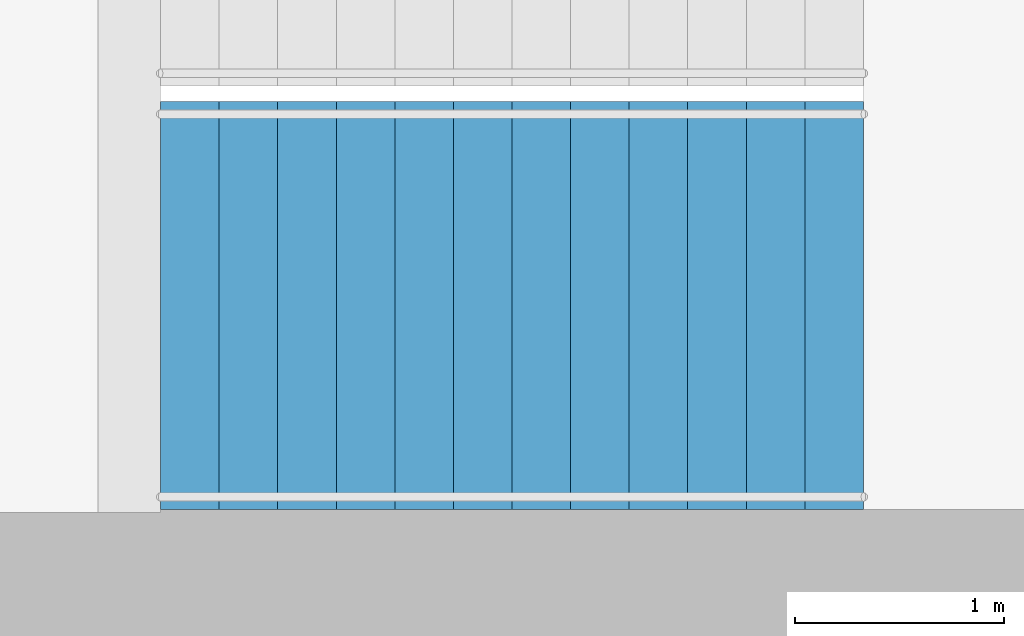
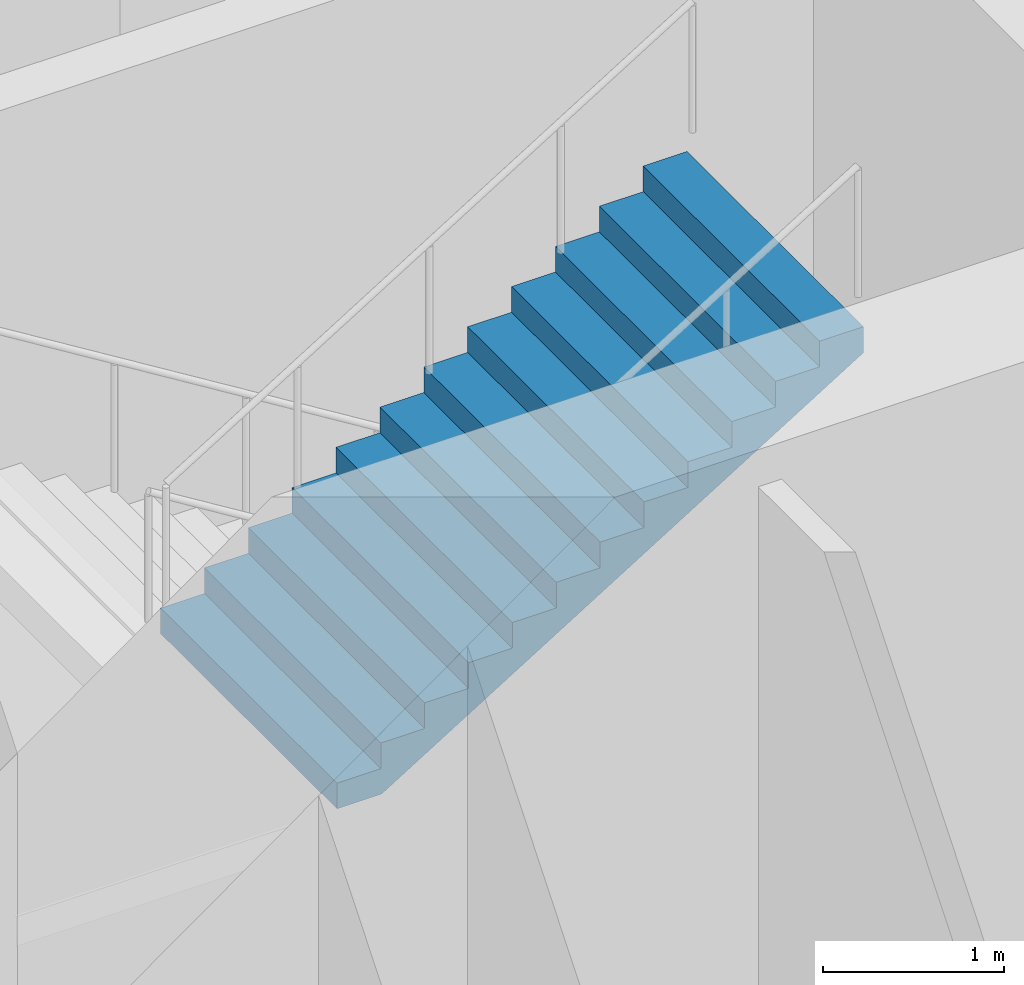
# One storey, part 20 of 31: 1 stair flight, 1 element without a shape of its own.
"""IFC4 building model written with IfcOpenShell, lengths in metres."""

from ifc_helpers import new_model, si_unit, direction, frame, origin, place, context, subcontext, project, spatial, triangles, material, type_object, element, aggregate, save


model = new_model("IFC4")

# Units and contexts
model_context = context("Model", 3, precision=1e-05, world=origin(), true_north=direction((0.0, 1.0)))
body_context = subcontext(model_context, "Body", "Model", "MODEL_VIEW")
ifc_project = project(units=[si_unit("LENGTHUNIT", "METRE"), si_unit("AREAUNIT", "SQUARE_METRE"), si_unit("VOLUMEUNIT", "CUBIC_METRE"), si_unit("PLANEANGLEUNIT", "RADIAN"), si_unit("MASSUNIT", "GRAM", prefix="KILO")], contexts=[model_context])

# Site, building, storey
site_placement = place(None, origin())
site = spatial("IfcSite", under=ifc_project, at=site_placement, CompositionType="ELEMENT")
building_placement = place(site_placement, origin())
building = spatial("IfcBuilding", under=site, at=building_placement, Name="Orbita Commons", CompositionType="ELEMENT")
storey_placement = place(building_placement, frame((0.0, 0.0, 76.14990234375)))
storey = spatial("IfcBuildingStorey", under=building, at=storey_placement, Name="L18", CompositionType="ELEMENT", Elevation=76.14990234375)

# Stair, stair flight
ifc_material_1 = material(Name="Precast concrete C40/50", Category="concrete")
stair_type = type_object("IfcStairType", Name="Exit stair S2 2 flights 13 risers 173", PredefinedType="HALF_TURN_STAIR", material=ifc_material_1)
stair_placement = place(storey_placement, origin())
stair = element("IfcStair", 1, at=stair_placement, inside=storey, type_object=stair_type, Name="Exit stair S2 L18", PredefinedType="HALF_TURN_STAIR")
ifc_material_2 = material(Name="Precast concrete C40/50", Category="concrete")
stair_flight_type = type_object("IfcStairFlightType", Name="Stair flight 13 risers 173 x 280", PredefinedType="STRAIGHT", material=ifc_material_2)
stair_flight_placement = place(storey_placement, frame((60.18994140625, 27.25, 2.25), z_axis=(0.0, 0.0, 1.0), x_axis=(1.0, 0.0, 0.0)))
stair_flight = element("IfcStairFlight", 2, at=stair_flight_placement, type_object=stair_flight_type, Name="S2 flight 2", NumberOfRisers=13, NumberOfTreads=12, PredefinedType="STRAIGHT", RiserHeight=0.173076923, TreadLength=0.28, context=body_context, shape_type="Tessellation", body=[
    triangles([(0.0, 0.974976, 0.0), (0.0, 0.974976, 0.021635), (0.0, 0.81248, 0.021635), (0.0, 0.81248, 0.0), (0.0, 0.649984, 0.021635), (0.0, 0.649984, 0.0), (0.0, 0.487488, 0.021635), (0.0, 0.487488, 0.0), (0.0, 0.324992, 0.021635), (0.0, 0.324992, 0.0), (0.0, 0.162496, 0.021635), (0.0, 0.162496, 0.0), (0.0, 0.0, 0.021635), (0.0, 0.0, 0.0), (0.0, -0.162496, 0.021635), (0.0, -0.162496, 0.0), (0.0, -0.324992, 0.021635), (0.0, -0.324992, 0.0), (0.0, -0.487488, 0.021635), (0.0, -0.487488, 0.0), (0.0, -0.649984, 0.021635), (0.0, -0.649984, 0.0), (0.0, -0.81248, 0.021635), (0.0, -0.81248, 0.0), (0.0, -0.974976, 0.021635), (0.0, -0.974976, 0.0), (0.0, 0.974976, 0.043269), (0.0, 0.81248, 0.043269), (0.0, 0.649984, 0.043269), (0.0, 0.487488, 0.043269), (0.0, 0.324992, 0.043269), (0.0, 0.162496, 0.043269), (0.0, 0.0, 0.043269), (0.0, -0.162496, 0.043269), (0.0, -0.324992, 0.043269), (0.0, -0.487488, 0.043269), (0.0, -0.649984, 0.043269), (0.0, -0.81248, 0.043269), (0.0, -0.974976, 0.043269), (0.0, 0.974976, 0.064904), (0.0, 0.81248, 0.064904), (0.0, 0.649984, 0.064904), (0.0, 0.487488, 0.064904), (0.0, 0.324992, 0.064904), (0.0, 0.162496, 0.064904), (0.0, 0.0, 0.064904), (0.0, -0.162496, 0.064904), (0.0, -0.324992, 0.064904), (0.0, -0.487488, 0.064904), (0.0, -0.649984, 0.064904), (0.0, -0.81248, 0.064904), (0.0, -0.974976, 0.064904), (0.0, 0.974976, 0.086538), (0.0, 0.81248, 0.086538), (0.0, 0.649984, 0.086538), (0.0, 0.487488, 0.086538), (0.0, 0.324992, 0.086538), (0.0, 0.162496, 0.086538), (0.0, 0.0, 0.086538), (0.0, -0.162496, 0.086538), (0.0, -0.324992, 0.086538), (0.0, -0.487488, 0.086538), (0.0, -0.649984, 0.086538), (0.0, -0.81248, 0.086538), (0.0, -0.974976, 0.086538), (0.0, 0.974976, 0.108173), (0.0, 0.81248, 0.108173), (0.0, 0.649984, 0.108173), (0.0, 0.487488, 0.108173), (0.0, 0.324992, 0.108173), (0.0, 0.162496, 0.108173), (0.0, 0.0, 0.108173), (0.0, -0.162496, 0.108173), (0.0, -0.324992, 0.108173), (0.0, -0.487488, 0.108173), (0.0, -0.649984, 0.108173), (0.0, -0.81248, 0.108173), (0.0, -0.974976, 0.108173), (0.0, 0.974976, 0.129808), (0.0, 0.81248, 0.129808), (0.0, 0.649984, 0.129808), (0.0, 0.487488, 0.129808), (0.0, 0.324992, 0.129808), (0.0, 0.162496, 0.129808), (0.0, 0.0, 0.129808), (0.0, -0.162496, 0.129808), (0.0, -0.324992, 0.129808), (0.0, -0.487488, 0.129808), (0.0, -0.649984, 0.129808), (0.0, -0.81248, 0.129808), (0.0, -0.974976, 0.129808), (0.0, 0.974976, 0.151442), (0.0, 0.81248, 0.151442), (0.0, 0.649984, 0.151442), (0.0, 0.487488, 0.151442), (0.0, 0.324992, 0.151442), (0.0, 0.162496, 0.151442), (0.0, 0.0, 0.151442), (0.0, -0.162496, 0.151442), (0.0, -0.324992, 0.151442), (0.0, -0.487488, 0.151442), (0.0, -0.649984, 0.151442), (0.0, -0.81248, 0.151442), (0.0, -0.974976, 0.151442), (0.0, 0.974976, 0.173077), (0.0, 0.81248, 0.173077), (0.0, 0.649984, 0.173077), (0.0, 0.487488, 0.173077), (0.0, 0.324992, 0.173077), (0.0, 0.162496, 0.173077), (0.0, 0.0, 0.173077), (0.0, -0.162496, 0.173077), (0.0, -0.324992, 0.173077), (0.0, -0.487488, 0.173077), (0.0, -0.649984, 0.173077), (0.0, -0.81248, 0.173077), (0.0, -0.974976, 0.173077), (0.28, 0.974976, 0.173077), (0.28, 0.81248, 0.173077), (0.28, 0.649984, 0.173077), (0.28, 0.487488, 0.173077), (0.28, 0.324992, 0.173077), (0.28, 0.162496, 0.173077), (0.28, 0.0, 0.173077), (0.28, -0.162496, 0.173077), (0.28, -0.324992, 0.173077), (0.28, -0.487488, 0.173077), (0.28, -0.649984, 0.173077), (0.28, -0.81248, 0.173077), (0.28, -0.974976, 0.173077), (0.28, 0.974976, 0.346154), (0.28, 0.81248, 0.346154), (0.28, 0.649984, 0.346154), (0.28, 0.487488, 0.346154), (0.28, 0.324992, 0.346154), (0.28, 0.162496, 0.346154), (0.28, 0.0, 0.346154), (0.28, -0.162496, 0.346154), (0.28, -0.324992, 0.346154), (0.28, -0.487488, 0.346154), (0.28, -0.649984, 0.346154), (0.28, -0.81248, 0.346154), (0.28, -0.974976, 0.346154), (0.56, 0.974976, 0.346154), (0.56, 0.81248, 0.346154), (0.56, 0.649984, 0.346154), (0.56, 0.487488, 0.346154), (0.56, 0.324992, 0.346154), (0.56, 0.162496, 0.346154), (0.56, 0.0, 0.346154), (0.56, -0.162496, 0.346154), (0.56, -0.324992, 0.346154), (0.56, -0.487488, 0.346154), (0.56, -0.649984, 0.346154), (0.56, -0.81248, 0.346154), (0.56, -0.974976, 0.346154), (0.56, 0.974976, 0.519231), (0.56, 0.81248, 0.519231), (0.56, 0.649984, 0.519231), (0.56, 0.487488, 0.519231), (0.56, 0.324992, 0.519231), (0.56, 0.162496, 0.519231), (0.56, 0.0, 0.519231), (0.56, -0.162496, 0.519231), (0.56, -0.324992, 0.519231), (0.56, -0.487488, 0.519231), (0.56, -0.649984, 0.519231), (0.56, -0.81248, 0.519231), (0.56, -0.974976, 0.519231), (0.84, 0.974976, 0.519231), (0.84, 0.81248, 0.519231), (0.84, 0.649984, 0.519231), (0.84, 0.487488, 0.519231), (0.84, 0.324992, 0.519231), (0.84, 0.162496, 0.519231), (0.84, 0.0, 0.519231), (0.84, -0.162496, 0.519231), (0.84, -0.324992, 0.519231), (0.84, -0.487488, 0.519231), (0.84, -0.649984, 0.519231), (0.84, -0.81248, 0.519231), (0.84, -0.974976, 0.519231), (0.84, 0.974976, 0.692308), (0.84, 0.81248, 0.692308), (0.84, 0.649984, 0.692308), (0.84, 0.487488, 0.692308), (0.84, 0.324992, 0.692308), (0.84, 0.162496, 0.692308), (0.84, 0.0, 0.692308), (0.84, -0.162496, 0.692308), (0.84, -0.324992, 0.692308), (0.84, -0.487488, 0.692308), (0.84, -0.649984, 0.692308), (0.84, -0.81248, 0.692308), (0.84, -0.974976, 0.692308), (1.12, 0.974976, 0.692308), (1.12, 0.81248, 0.692308), (1.12, 0.649984, 0.692308), (1.12, 0.487488, 0.692308), (1.12, 0.324992, 0.692308), (1.12, 0.162496, 0.692308), (1.12, 0.0, 0.692308), (1.12, -0.162496, 0.692308), (1.12, -0.324992, 0.692308), (1.12, -0.487488, 0.692308), (1.12, -0.649984, 0.692308), (1.12, -0.81248, 0.692308), (1.12, -0.974976, 0.692308), (1.12, 0.974976, 0.865385), (1.12, 0.81248, 0.865385), (1.12, 0.649984, 0.865385), (1.12, 0.487488, 0.865385), (1.12, 0.324992, 0.865385), (1.12, 0.162496, 0.865385), (1.12, 0.0, 0.865385), (1.12, -0.162496, 0.865385), (1.12, -0.324992, 0.865385), (1.12, -0.487488, 0.865385), (1.12, -0.649984, 0.865385), (1.12, -0.81248, 0.865385), (1.12, -0.974976, 0.865385), (1.4, 0.974976, 0.865385), (1.4, 0.81248, 0.865385), (1.4, 0.649984, 0.865385), (1.4, 0.487488, 0.865385), (1.4, 0.324992, 0.865385), (1.4, 0.162496, 0.865385), (1.4, 0.0, 0.865385), (1.4, -0.162496, 0.865385), (1.4, -0.324992, 0.865385), (1.4, -0.487488, 0.865385), (1.4, -0.649984, 0.865385), (1.4, -0.81248, 0.865385), (1.4, -0.974976, 0.865385), (1.4, 0.974976, 1.038462), (1.4, 0.81248, 1.038462), (1.4, 0.649984, 1.038462), (1.4, 0.487488, 1.038462), (1.4, 0.324992, 1.038462), (1.4, 0.162496, 1.038462), (1.4, 0.0, 1.038462), (1.4, -0.162496, 1.038462), (1.4, -0.324992, 1.038462), (1.4, -0.487488, 1.038462), (1.4, -0.649984, 1.038462), (1.4, -0.81248, 1.038462), (1.4, -0.974976, 1.038462), (1.68, 0.974976, 1.038462), (1.68, 0.81248, 1.038462), (1.68, 0.649984, 1.038462), (1.68, 0.487488, 1.038462), (1.68, 0.324992, 1.038462), (1.68, 0.162496, 1.038462), (1.68, 0.0, 1.038462), (1.68, -0.162496, 1.038462), (1.68, -0.324992, 1.038462), (1.68, -0.487488, 1.038462), (1.68, -0.649984, 1.038462), (1.68, -0.81248, 1.038462), (1.68, -0.974976, 1.038462), (1.68, 0.974976, 1.211538), (1.68, 0.81248, 1.211538), (1.68, 0.649984, 1.211538), (1.68, 0.487488, 1.211538), (1.68, 0.324992, 1.211538), (1.68, 0.162496, 1.211538), (1.68, 0.0, 1.211538), (1.68, -0.162496, 1.211538), (1.68, -0.324992, 1.211538), (1.68, -0.487488, 1.211538), (1.68, -0.649984, 1.211538), (1.68, -0.81248, 1.211538), (1.68, -0.974976, 1.211538), (1.96, 0.974976, 1.211538), (1.96, 0.81248, 1.211538), (1.96, 0.649984, 1.211538), (1.96, 0.487488, 1.211538), (1.96, 0.324992, 1.211538), (1.96, 0.162496, 1.211538), (1.96, 0.0, 1.211538), (1.96, -0.162496, 1.211538), (1.96, -0.324992, 1.211538), (1.96, -0.487488, 1.211538), (1.96, -0.649984, 1.211538), (1.96, -0.81248, 1.211538), (1.96, -0.974976, 1.211538), (1.96, 0.974976, 1.384615), (1.96, 0.81248, 1.384615), (1.96, 0.649984, 1.384615), (1.96, 0.487488, 1.384615), (1.96, 0.324992, 1.384615), (1.96, 0.162496, 1.384615), (1.96, 0.0, 1.384615), (1.96, -0.162496, 1.384615), (1.96, -0.324992, 1.384615), (1.96, -0.487488, 1.384615), (1.96, -0.649984, 1.384615), (1.96, -0.81248, 1.384615), (1.96, -0.974976, 1.384615), (2.24, 0.974976, 1.384615), (2.24, 0.81248, 1.384615), (2.24, 0.649984, 1.384615), (2.24, 0.487488, 1.384615), (2.24, 0.324992, 1.384615), (2.24, 0.162496, 1.384615), (2.24, 0.0, 1.384615), (2.24, -0.162496, 1.384615), (2.24, -0.324992, 1.384615), (2.24, -0.487488, 1.384615), (2.24, -0.649984, 1.384615), (2.24, -0.81248, 1.384615), (2.24, -0.974976, 1.384615), (2.24, 0.974976, 1.557692), (2.24, 0.81248, 1.557692), (2.24, 0.649984, 1.557692), (2.24, 0.487488, 1.557692), (2.24, 0.324992, 1.557692), (2.24, 0.162496, 1.557692), (2.24, 0.0, 1.557692), (2.24, -0.162496, 1.557692), (2.24, -0.324992, 1.557692), (2.24, -0.487488, 1.557692), (2.24, -0.649984, 1.557692), (2.24, -0.81248, 1.557692), (2.24, -0.974976, 1.557692), (2.52, 0.974976, 1.557692), (2.52, 0.81248, 1.557692), (2.52, 0.649984, 1.557692), (2.52, 0.487488, 1.557692), (2.52, 0.324992, 1.557692), (2.52, 0.162496, 1.557692), (2.52, 0.0, 1.557692), (2.52, -0.162496, 1.557692), (2.52, -0.324992, 1.557692), (2.52, -0.487488, 1.557692), (2.52, -0.649984, 1.557692), (2.52, -0.81248, 1.557692), (2.52, -0.974976, 1.557692), (2.52, 0.974976, 1.730769), (2.52, 0.81248, 1.730769), (2.52, 0.649984, 1.730769), (2.52, 0.487488, 1.730769), (2.52, 0.324992, 1.730769), (2.52, 0.162496, 1.730769), (2.52, 0.0, 1.730769), (2.52, -0.162496, 1.730769), (2.52, -0.324992, 1.730769), (2.52, -0.487488, 1.730769), (2.52, -0.649984, 1.730769), (2.52, -0.81248, 1.730769), (2.52, -0.974976, 1.730769), (2.8, 0.974976, 1.730769), (2.8, 0.81248, 1.730769), (2.8, 0.649984, 1.730769), (2.8, 0.487488, 1.730769), (2.8, 0.324992, 1.730769), (2.8, 0.162496, 1.730769), (2.8, 0.0, 1.730769), (2.8, -0.162496, 1.730769), (2.8, -0.324992, 1.730769), (2.8, -0.487488, 1.730769), (2.8, -0.649984, 1.730769), (2.8, -0.81248, 1.730769), (2.8, -0.974976, 1.730769), (2.8, 0.974976, 1.903846), (2.8, 0.81248, 1.903846), (2.8, 0.649984, 1.903846), (2.8, 0.487488, 1.903846), (2.8, 0.324992, 1.903846), (2.8, 0.162496, 1.903846), (2.8, 0.0, 1.903846), (2.8, -0.162496, 1.903846), (2.8, -0.324992, 1.903846), (2.8, -0.487488, 1.903846), (2.8, -0.649984, 1.903846), (2.8, -0.81248, 1.903846), (2.8, -0.974976, 1.903846), (3.08, 0.974976, 1.903846), (3.08, 0.81248, 1.903846), (3.08, 0.649984, 1.903846), (3.08, 0.487488, 1.903846), (3.08, 0.324992, 1.903846), (3.08, 0.162496, 1.903846), (3.08, 0.0, 1.903846), (3.08, -0.162496, 1.903846), (3.08, -0.324992, 1.903846), (3.08, -0.487488, 1.903846), (3.08, -0.649984, 1.903846), (3.08, -0.81248, 1.903846), (3.08, -0.974976, 1.903846), (3.08, 0.974976, 2.076923), (3.08, 0.81248, 2.076923), (3.08, 0.649984, 2.076923), (3.08, 0.487488, 2.076923), (3.08, 0.324992, 2.076923), (3.08, 0.162496, 2.076923), (3.08, 0.0, 2.076923), (3.08, -0.162496, 2.076923), (3.08, -0.324992, 2.076923), (3.08, -0.487488, 2.076923), (3.08, -0.649984, 2.076923), (3.08, -0.81248, 2.076923), (3.08, -0.974976, 2.076923), (3.36, 0.974976, 2.076923), (3.36, 0.81248, 2.076923), (3.36, 0.649984, 2.076923), (3.36, 0.487488, 2.076923), (3.36, 0.324992, 2.076923), (3.36, 0.162496, 2.076923), (3.36, 0.0, 2.076923), (3.36, -0.162496, 2.076923), (3.36, -0.324992, 2.076923), (3.36, -0.487488, 2.076923), (3.36, -0.649984, 2.076923), (3.36, -0.81248, 2.076923), (3.36, -0.974976, 2.076923), (3.36, 0.974976, 2.054895), (3.36, 0.81248, 2.054895), (3.36, 0.649984, 2.054895), (3.36, 0.487488, 2.054895), (3.36, 0.324992, 2.054895), (3.36, 0.162496, 2.054895), (3.36, 0.0, 2.054895), (3.36, -0.162496, 2.054895), (3.36, -0.324992, 2.054895), (3.36, -0.487488, 2.054895), (3.36, -0.649984, 2.054895), (3.36, -0.81248, 2.054895), (3.36, -0.974976, 2.054895), (3.36, 0.974976, 2.032866), (3.36, 0.81248, 2.032866), (3.36, 0.649984, 2.032866), (3.36, 0.487488, 2.032866), (3.36, 0.324992, 2.032866), (3.36, 0.162496, 2.032866), (3.36, 0.0, 2.032866), (3.36, -0.162496, 2.032866), (3.36, -0.324992, 2.032866), (3.36, -0.487488, 2.032866), (3.36, -0.649984, 2.032866), (3.36, -0.81248, 2.032866), (3.36, -0.974976, 2.032866), (3.36, 0.974976, 2.010837), (3.36, 0.81248, 2.010837), (3.36, 0.649984, 2.010837), (3.36, 0.487488, 2.010837), (3.36, 0.324992, 2.010837), (3.36, 0.162496, 2.010837), (3.36, 0.0, 2.010837), (3.36, -0.162496, 2.010837), (3.36, -0.324992, 2.010837), (3.36, -0.487488, 2.010837), (3.36, -0.649984, 2.010837), (3.36, -0.81248, 2.010837), (3.36, -0.974976, 2.010837), (3.36, 0.974976, 1.988809), (3.36, 0.81248, 1.988809), (3.36, 0.649984, 1.988809), (3.36, 0.487488, 1.988809), (3.36, 0.324992, 1.988809), (3.36, 0.162496, 1.988809), (3.36, 0.0, 1.988809), (3.36, -0.162496, 1.988809), (3.36, -0.324992, 1.988809), (3.36, -0.487488, 1.988809), (3.36, -0.649984, 1.988809), (3.36, -0.81248, 1.988809), (3.36, -0.974976, 1.988809), (3.36, 0.974976, 1.96678), (3.36, 0.81248, 1.96678), (3.36, 0.649984, 1.96678), (3.36, 0.487488, 1.96678), (3.36, 0.324992, 1.96678), (3.36, 0.162496, 1.96678), (3.36, 0.0, 1.96678), (3.36, -0.162496, 1.96678), (3.36, -0.324992, 1.96678), (3.36, -0.487488, 1.96678), (3.36, -0.649984, 1.96678), (3.36, -0.81248, 1.96678), (3.36, -0.974976, 1.96678), (3.36, 0.974976, 1.944752), (3.36, 0.81248, 1.944752), (3.36, 0.649984, 1.944752), (3.36, 0.487488, 1.944752), (3.36, 0.324992, 1.944752), (3.36, 0.162496, 1.944752), (3.36, 0.0, 1.944752), (3.36, -0.162496, 1.944752), (3.36, -0.324992, 1.944752), (3.36, -0.487488, 1.944752), (3.36, -0.649984, 1.944752), (3.36, -0.81248, 1.944752), (3.36, -0.974976, 1.944752), (3.36, 0.974976, 1.922723), (3.36, 0.81248, 1.922723), (3.36, 0.649984, 1.922723), (3.36, 0.487488, 1.922723), (3.36, 0.324992, 1.922723), (3.36, 0.162496, 1.922723), (3.36, 0.0, 1.922723), (3.36, -0.162496, 1.922723), (3.36, -0.324992, 1.922723), (3.36, -0.487488, 1.922723), (3.36, -0.649984, 1.922723), (3.36, -0.81248, 1.922723), (3.36, -0.974976, 1.922723), (3.36, 0.974976, 1.900695), (3.36, 0.81248, 1.900695), (3.36, 0.649984, 1.900695), (3.36, 0.487488, 1.900695), (3.36, 0.324992, 1.900695), (3.36, 0.162496, 1.900695), (3.36, 0.0, 1.900695), (3.36, -0.162496, 1.900695), (3.36, -0.324992, 1.900695), (3.36, -0.487488, 1.900695), (3.36, -0.649984, 1.900695), (3.36, -0.81248, 1.900695), (3.36, -0.974976, 1.900695), (0.285099, 0.974976, 0.0), (0.285099, 0.81248, 0.0), (0.285099, 0.649984, 0.0), (0.285099, 0.487488, 0.0), (0.285099, 0.324992, 0.0), (0.285099, 0.162496, 0.0), (0.285099, 0.0, 0.0), (0.285099, -0.162496, 0.0), (0.285099, -0.324992, 0.0), (0.285099, -0.487488, 0.0), (0.285099, -0.649984, 0.0), (0.285099, -0.81248, 0.0), (0.285099, -0.974976, 0.0)], [[3, 2, 1], [4, 3, 1], [5, 3, 4], [6, 5, 4], [7, 5, 6], [8, 7, 6], [9, 7, 8], [10, 9, 8], [11, 9, 10], [12, 11, 10], [13, 11, 12], [14, 13, 12], [15, 13, 14], [16, 15, 14], [17, 15, 16], [18, 17, 16], [19, 17, 18], [20, 19, 18], [21, 19, 20], [22, 21, 20], [23, 21, 22], [24, 23, 22], [25, 23, 24], [26, 25, 24], [28, 27, 2], [3, 28, 2], [29, 28, 3], [5, 29, 3], [30, 29, 5], [7, 30, 5], [31, 30, 7], [9, 31, 7], [32, 31, 9], [11, 32, 9], [33, 32, 11], [13, 33, 11], [34, 33, 13], [15, 34, 13], [35, 34, 15], [17, 35, 15], [36, 35, 17], [19, 36, 17], [37, 36, 19], [21, 37, 19], [38, 37, 21], [23, 38, 21], [39, 38, 23], [25, 39, 23], [41, 40, 27], [28, 41, 27], [42, 41, 28], [29, 42, 28], [43, 42, 29], [30, 43, 29], [44, 43, 30], [31, 44, 30], [45, 44, 31], [32, 45, 31], [46, 45, 32], [33, 46, 32], [47, 46, 33], [34, 47, 33], [48, 47, 34], [35, 48, 34], [49, 48, 35], [36, 49, 35], [50, 49, 36], [37, 50, 36], [51, 50, 37], [38, 51, 37], [52, 51, 38], [39, 52, 38], [54, 53, 40], [41, 54, 40], [55, 54, 41], [42, 55, 41], [56, 55, 42], [43, 56, 42], [57, 56, 43], [44, 57, 43], [58, 57, 44], [45, 58, 44], [59, 58, 45], [46, 59, 45], [60, 59, 46], [47, 60, 46], [61, 60, 47], [48, 61, 47], [62, 61, 48], [49, 62, 48], [63, 62, 49], [50, 63, 49], [64, 63, 50], [51, 64, 50], [65, 64, 51], [52, 65, 51], [67, 66, 53], [54, 67, 53], [68, 67, 54], [55, 68, 54], [69, 68, 55], [56, 69, 55], [70, 69, 56], [57, 70, 56], [71, 70, 57], [58, 71, 57], [72, 71, 58], [59, 72, 58], [73, 72, 59], [60, 73, 59], [74, 73, 60], [61, 74, 60], [75, 74, 61], [62, 75, 61], [76, 75, 62], [63, 76, 62], [77, 76, 63], [64, 77, 63], [78, 77, 64], [65, 78, 64], [80, 79, 66], [67, 80, 66], [81, 80, 67], [68, 81, 67], [82, 81, 68], [69, 82, 68], [83, 82, 69], [70, 83, 69], [84, 83, 70], [71, 84, 70], [85, 84, 71], [72, 85, 71], [86, 85, 72], [73, 86, 72], [87, 86, 73], [74, 87, 73], [88, 87, 74], [75, 88, 74], [89, 88, 75], [76, 89, 75], [90, 89, 76], [77, 90, 76], [91, 90, 77], [78, 91, 77], [93, 92, 79], [80, 93, 79], [94, 93, 80], [81, 94, 80], [95, 94, 81], [82, 95, 81], [96, 95, 82], [83, 96, 82], [97, 96, 83], [84, 97, 83], [98, 97, 84], [85, 98, 84], [99, 98, 85], [86, 99, 85], [100, 99, 86], [87, 100, 86], [101, 100, 87], [88, 101, 87], [102, 101, 88], [89, 102, 88], [103, 102, 89], [90, 103, 89], [104, 103, 90], [91, 104, 90], [106, 105, 92], [93, 106, 92], [107, 106, 93], [94, 107, 93], [108, 107, 94], [95, 108, 94], [109, 108, 95], [96, 109, 95], [110, 109, 96], [97, 110, 96], [111, 110, 97], [98, 111, 97], [112, 111, 98], [99, 112, 98], [113, 112, 99], [100, 113, 99], [114, 113, 100], [101, 114, 100], [115, 114, 101], [102, 115, 101], [116, 115, 102], [103, 116, 102], [117, 116, 103], [104, 117, 103], [119, 118, 105], [106, 119, 105], [120, 119, 106], [107, 120, 106], [121, 120, 107], [108, 121, 107], [122, 121, 108], [109, 122, 108], [123, 122, 109], [110, 123, 109], [124, 123, 110], [111, 124, 110], [125, 124, 111], [112, 125, 111], [126, 125, 112], [113, 126, 112], [127, 126, 113], [114, 127, 113], [128, 127, 114], [115, 128, 114], [129, 128, 115], [116, 129, 115], [130, 129, 116], [117, 130, 116], [132, 131, 118], [119, 132, 118], [133, 132, 119], [120, 133, 119], [134, 133, 120], [121, 134, 120], [135, 134, 121], [122, 135, 121], [136, 135, 122], [123, 136, 122], [137, 136, 123], [124, 137, 123], [138, 137, 124], [125, 138, 124], [139, 138, 125], [126, 139, 125], [140, 139, 126], [127, 140, 126], [141, 140, 127], [128, 141, 127], [142, 141, 128], [129, 142, 128], [143, 142, 129], [130, 143, 129], [145, 144, 131], [132, 145, 131], [146, 145, 132], [133, 146, 132], [147, 146, 133], [134, 147, 133], [148, 147, 134], [135, 148, 134], [149, 148, 135], [136, 149, 135], [150, 149, 136], [137, 150, 136], [151, 150, 137], [138, 151, 137], [152, 151, 138], [139, 152, 138], [153, 152, 139], [140, 153, 139], [154, 153, 140], [141, 154, 140], [155, 154, 141], [142, 155, 141], [156, 155, 142], [143, 156, 142], [158, 157, 144], [145, 158, 144], [159, 158, 145], [146, 159, 145], [160, 159, 146], [147, 160, 146], [161, 160, 147], [148, 161, 147], [162, 161, 148], [149, 162, 148], [163, 162, 149], [150, 163, 149], [164, 163, 150], [151, 164, 150], [165, 164, 151], [152, 165, 151], [166, 165, 152], [153, 166, 152], [167, 166, 153], [154, 167, 153], [168, 167, 154], [155, 168, 154], [169, 168, 155], [156, 169, 155], [171, 170, 157], [158, 171, 157], [172, 171, 158], [159, 172, 158], [173, 172, 159], [160, 173, 159], [174, 173, 160], [161, 174, 160], [175, 174, 161], [162, 175, 161], [176, 175, 162], [163, 176, 162], [177, 176, 163], [164, 177, 163], [178, 177, 164], [165, 178, 164], [179, 178, 165], [166, 179, 165], [180, 179, 166], [167, 180, 166], [181, 180, 167], [168, 181, 167], [182, 181, 168], [169, 182, 168], [184, 183, 170], [171, 184, 170], [185, 184, 171], [172, 185, 171], [186, 185, 172], [173, 186, 172], [187, 186, 173], [174, 187, 173], [188, 187, 174], [175, 188, 174], [189, 188, 175], [176, 189, 175], [190, 189, 176], [177, 190, 176], [191, 190, 177], [178, 191, 177], [192, 191, 178], [179, 192, 178], [193, 192, 179], [180, 193, 179], [194, 193, 180], [181, 194, 180], [195, 194, 181], [182, 195, 181], [197, 196, 183], [184, 197, 183], [198, 197, 184], [185, 198, 184], [199, 198, 185], [186, 199, 185], [200, 199, 186], [187, 200, 186], [201, 200, 187], [188, 201, 187], [202, 201, 188], [189, 202, 188], [203, 202, 189], [190, 203, 189], [204, 203, 190], [191, 204, 190], [205, 204, 191], [192, 205, 191], [206, 205, 192], [193, 206, 192], [207, 206, 193], [194, 207, 193], [208, 207, 194], [195, 208, 194], [210, 209, 196], [197, 210, 196], [211, 210, 197], [198, 211, 197], [212, 211, 198], [199, 212, 198], [213, 212, 199], [200, 213, 199], [214, 213, 200], [201, 214, 200], [215, 214, 201], [202, 215, 201], [216, 215, 202], [203, 216, 202], [217, 216, 203], [204, 217, 203], [218, 217, 204], [205, 218, 204], [219, 218, 205], [206, 219, 205], [220, 219, 206], [207, 220, 206], [221, 220, 207], [208, 221, 207], [223, 222, 209], [210, 223, 209], [224, 223, 210], [211, 224, 210], [225, 224, 211], [212, 225, 211], [226, 225, 212], [213, 226, 212], [227, 226, 213], [214, 227, 213], [228, 227, 214], [215, 228, 214], [229, 228, 215], [216, 229, 215], [230, 229, 216], [217, 230, 216], [231, 230, 217], [218, 231, 217], [232, 231, 218], [219, 232, 218], [233, 232, 219], [220, 233, 219], [234, 233, 220], [221, 234, 220], [236, 235, 222], [223, 236, 222], [237, 236, 223], [224, 237, 223], [238, 237, 224], [225, 238, 224], [239, 238, 225], [226, 239, 225], [240, 239, 226], [227, 240, 226], [241, 240, 227], [228, 241, 227], [242, 241, 228], [229, 242, 228], [243, 242, 229], [230, 243, 229], [244, 243, 230], [231, 244, 230], [245, 244, 231], [232, 245, 231], [246, 245, 232], [233, 246, 232], [247, 246, 233], [234, 247, 233], [249, 248, 235], [236, 249, 235], [250, 249, 236], [237, 250, 236], [251, 250, 237], [238, 251, 237], [252, 251, 238], [239, 252, 238], [253, 252, 239], [240, 253, 239], [254, 253, 240], [241, 254, 240], [255, 254, 241], [242, 255, 241], [256, 255, 242], [243, 256, 242], [257, 256, 243], [244, 257, 243], [258, 257, 244], [245, 258, 244], [259, 258, 245], [246, 259, 245], [260, 259, 246], [247, 260, 246], [262, 261, 248], [249, 262, 248], [263, 262, 249], [250, 263, 249], [264, 263, 250], [251, 264, 250], [265, 264, 251], [252, 265, 251], [266, 265, 252], [253, 266, 252], [267, 266, 253], [254, 267, 253], [268, 267, 254], [255, 268, 254], [269, 268, 255], [256, 269, 255], [270, 269, 256], [257, 270, 256], [271, 270, 257], [258, 271, 257], [272, 271, 258], [259, 272, 258], [273, 272, 259], [260, 273, 259], [275, 274, 261], [262, 275, 261], [276, 275, 262], [263, 276, 262], [277, 276, 263], [264, 277, 263], [278, 277, 264], [265, 278, 264], [279, 278, 265], [266, 279, 265], [280, 279, 266], [267, 280, 266], [281, 280, 267], [268, 281, 267], [282, 281, 268], [269, 282, 268], [283, 282, 269], [270, 283, 269], [284, 283, 270], [271, 284, 270], [285, 284, 271], [272, 285, 271], [286, 285, 272], [273, 286, 272], [288, 287, 274], [275, 288, 274], [289, 288, 275], [276, 289, 275], [290, 289, 276], [277, 290, 276], [291, 290, 277], [278, 291, 277], [292, 291, 278], [279, 292, 278], [293, 292, 279], [280, 293, 279], [294, 293, 280], [281, 294, 280], [295, 294, 281], [282, 295, 281], [296, 295, 282], [283, 296, 282], [297, 296, 283], [284, 297, 283], [298, 297, 284], [285, 298, 284], [299, 298, 285], [286, 299, 285], [301, 300, 287], [288, 301, 287], [302, 301, 288], [289, 302, 288], [303, 302, 289], [290, 303, 289], [304, 303, 290], [291, 304, 290], [305, 304, 291], [292, 305, 291], [306, 305, 292], [293, 306, 292], [307, 306, 293], [294, 307, 293], [308, 307, 294], [295, 308, 294], [309, 308, 295], [296, 309, 295], [310, 309, 296], [297, 310, 296], [311, 310, 297], [298, 311, 297], [312, 311, 298], [299, 312, 298], [314, 313, 300], [301, 314, 300], [315, 314, 301], [302, 315, 301], [316, 315, 302], [303, 316, 302], [317, 316, 303], [304, 317, 303], [318, 317, 304], [305, 318, 304], [319, 318, 305], [306, 319, 305], [320, 319, 306], [307, 320, 306], [321, 320, 307], [308, 321, 307], [322, 321, 308], [309, 322, 308], [323, 322, 309], [310, 323, 309], [324, 323, 310], [311, 324, 310], [325, 324, 311], [312, 325, 311], [327, 326, 313], [314, 327, 313], [328, 327, 314], [315, 328, 314], [329, 328, 315], [316, 329, 315], [330, 329, 316], [317, 330, 316], [331, 330, 317], [318, 331, 317], [332, 331, 318], [319, 332, 318], [333, 332, 319], [320, 333, 319], [334, 333, 320], [321, 334, 320], [335, 334, 321], [322, 335, 321], [336, 335, 322], [323, 336, 322], [337, 336, 323], [324, 337, 323], [338, 337, 324], [325, 338, 324], [340, 339, 326], [327, 340, 326], [341, 340, 327], [328, 341, 327], [342, 341, 328], [329, 342, 328], [343, 342, 329], [330, 343, 329], [344, 343, 330], [331, 344, 330], [345, 344, 331], [332, 345, 331], [346, 345, 332], [333, 346, 332], [347, 346, 333], [334, 347, 333], [348, 347, 334], [335, 348, 334], [349, 348, 335], [336, 349, 335], [350, 349, 336], [337, 350, 336], [351, 350, 337], [338, 351, 337], [353, 352, 339], [340, 353, 339], [354, 353, 340], [341, 354, 340], [355, 354, 341], [342, 355, 341], [356, 355, 342], [343, 356, 342], [357, 356, 343], [344, 357, 343], [358, 357, 344], [345, 358, 344], [359, 358, 345], [346, 359, 345], [360, 359, 346], [347, 360, 346], [361, 360, 347], [348, 361, 347], [362, 361, 348], [349, 362, 348], [363, 362, 349], [350, 363, 349], [364, 363, 350], [351, 364, 350], [366, 365, 352], [353, 366, 352], [367, 366, 353], [354, 367, 353], [368, 367, 354], [355, 368, 354], [369, 368, 355], [356, 369, 355], [370, 369, 356], [357, 370, 356], [371, 370, 357], [358, 371, 357], [372, 371, 358], [359, 372, 358], [373, 372, 359], [360, 373, 359], [374, 373, 360], [361, 374, 360], [375, 374, 361], [362, 375, 361], [376, 375, 362], [363, 376, 362], [377, 376, 363], [364, 377, 363], [379, 378, 365], [366, 379, 365], [380, 379, 366], [367, 380, 366], [381, 380, 367], [368, 381, 367], [382, 381, 368], [369, 382, 368], [383, 382, 369], [370, 383, 369], [384, 383, 370], [371, 384, 370], [385, 384, 371], [372, 385, 371], [386, 385, 372], [373, 386, 372], [387, 386, 373], [374, 387, 373], [388, 387, 374], [375, 388, 374], [389, 388, 375], [376, 389, 375], [390, 389, 376], [377, 390, 376], [392, 391, 378], [379, 392, 378], [393, 392, 379], [380, 393, 379], [394, 393, 380], [381, 394, 380], [395, 394, 381], [382, 395, 381], [396, 395, 382], [383, 396, 382], [397, 396, 383], [384, 397, 383], [398, 397, 384], [385, 398, 384], [399, 398, 385], [386, 399, 385], [400, 399, 386], [387, 400, 386], [401, 400, 387], [388, 401, 387], [402, 401, 388], [389, 402, 388], [403, 402, 389], [390, 403, 389], [405, 404, 391], [392, 405, 391], [406, 405, 392], [393, 406, 392], [407, 406, 393], [394, 407, 393], [408, 407, 394], [395, 408, 394], [409, 408, 395], [396, 409, 395], [410, 409, 396], [397, 410, 396], [411, 410, 397], [398, 411, 397], [412, 411, 398], [399, 412, 398], [413, 412, 399], [400, 413, 399], [414, 413, 400], [401, 414, 400], [415, 414, 401], [402, 415, 401], [416, 415, 402], [403, 416, 402], [418, 417, 404], [405, 418, 404], [419, 418, 405], [406, 419, 405], [420, 419, 406], [407, 420, 406], [421, 420, 407], [408, 421, 407], [422, 421, 408], [409, 422, 408], [423, 422, 409], [410, 423, 409], [424, 423, 410], [411, 424, 410], [425, 424, 411], [412, 425, 411], [426, 425, 412], [413, 426, 412], [427, 426, 413], [414, 427, 413], [428, 427, 414], [415, 428, 414], [429, 428, 415], [416, 429, 415], [431, 430, 417], [418, 431, 417], [432, 431, 418], [419, 432, 418], [433, 432, 419], [420, 433, 419], [434, 433, 420], [421, 434, 420], [435, 434, 421], [422, 435, 421], [436, 435, 422], [423, 436, 422], [437, 436, 423], [424, 437, 423], [438, 437, 424], [425, 438, 424], [439, 438, 425], [426, 439, 425], [440, 439, 426], [427, 440, 426], [441, 440, 427], [428, 441, 427], [442, 441, 428], [429, 442, 428], [444, 443, 430], [431, 444, 430], [445, 444, 431], [432, 445, 431], [446, 445, 432], [433, 446, 432], [447, 446, 433], [434, 447, 433], [448, 447, 434], [435, 448, 434], [449, 448, 435], [436, 449, 435], [450, 449, 436], [437, 450, 436], [451, 450, 437], [438, 451, 437], [452, 451, 438], [439, 452, 438], [453, 452, 439], [440, 453, 439], [454, 453, 440], [441, 454, 440], [455, 454, 441], [442, 455, 441], [457, 456, 443], [444, 457, 443], [458, 457, 444], [445, 458, 444], [459, 458, 445], [446, 459, 445], [460, 459, 446], [447, 460, 446], [461, 460, 447], [448, 461, 447], [462, 461, 448], [449, 462, 448], [463, 462, 449], [450, 463, 449], [464, 463, 450], [451, 464, 450], [465, 464, 451], [452, 465, 451], [466, 465, 452], [453, 466, 452], [467, 466, 453], [454, 467, 453], [468, 467, 454], [455, 468, 454], [470, 469, 456], [457, 470, 456], [471, 470, 457], [458, 471, 457], [472, 471, 458], [459, 472, 458], [473, 472, 459], [460, 473, 459], [474, 473, 460], [461, 474, 460], [475, 474, 461], [462, 475, 461], [476, 475, 462], [463, 476, 462], [477, 476, 463], [464, 477, 463], [478, 477, 464], [465, 478, 464], [479, 478, 465], [466, 479, 465], [480, 479, 466], [467, 480, 466], [481, 480, 467], [468, 481, 467], [483, 482, 469], [470, 483, 469], [484, 483, 470], [471, 484, 470], [485, 484, 471], [472, 485, 471], [486, 485, 472], [473, 486, 472], [487, 486, 473], [474, 487, 473], [488, 487, 474], [475, 488, 474], [489, 488, 475], [476, 489, 475], [490, 489, 476], [477, 490, 476], [491, 490, 477], [478, 491, 477], [492, 491, 478], [479, 492, 478], [493, 492, 479], [480, 493, 479], [494, 493, 480], [481, 494, 480], [496, 495, 482], [483, 496, 482], [497, 496, 483], [484, 497, 483], [498, 497, 484], [485, 498, 484], [499, 498, 485], [486, 499, 485], [500, 499, 486], [487, 500, 486], [501, 500, 487], [488, 501, 487], [502, 501, 488], [489, 502, 488], [503, 502, 489], [490, 503, 489], [504, 503, 490], [491, 504, 490], [505, 504, 491], [492, 505, 491], [506, 505, 492], [493, 506, 492], [507, 506, 493], [494, 507, 493], [509, 508, 495], [496, 509, 495], [510, 509, 496], [497, 510, 496], [511, 510, 497], [498, 511, 497], [512, 511, 498], [499, 512, 498], [513, 512, 499], [500, 513, 499], [514, 513, 500], [501, 514, 500], [515, 514, 501], [502, 515, 501], [516, 515, 502], [503, 516, 502], [517, 516, 503], [504, 517, 503], [518, 517, 504], [505, 518, 504], [519, 518, 505], [506, 519, 505], [520, 519, 506], [507, 520, 506], [522, 521, 508], [509, 522, 508], [523, 522, 509], [510, 523, 509], [524, 523, 510], [511, 524, 510], [525, 524, 511], [512, 525, 511], [526, 525, 512], [513, 526, 512], [527, 526, 513], [514, 527, 513], [528, 527, 514], [515, 528, 514], [529, 528, 515], [516, 529, 515], [530, 529, 516], [517, 530, 516], [531, 530, 517], [518, 531, 517], [532, 531, 518], [519, 532, 518], [533, 532, 519], [520, 533, 519], [4, 1, 521], [522, 4, 521], [6, 4, 522], [523, 6, 522], [8, 6, 523], [524, 8, 523], [10, 8, 524], [525, 10, 524], [12, 10, 525], [526, 12, 525], [14, 12, 526], [527, 14, 526], [16, 14, 527], [528, 16, 527], [18, 16, 528], [529, 18, 528], [20, 18, 529], [530, 20, 529], [22, 20, 530], [531, 22, 530], [24, 22, 531], [532, 24, 531], [26, 24, 532], [533, 26, 532], [508, 521, 1], [26, 533, 520], [495, 508, 1], [26, 520, 507], [482, 495, 1], [26, 507, 494], [469, 482, 1], [26, 494, 481], [456, 469, 1], [26, 481, 468], [443, 456, 1], [26, 468, 455], [430, 443, 1], [26, 455, 442], [417, 430, 1], [26, 442, 429], [391, 404, 417], [429, 416, 403], [378, 391, 417], [429, 403, 390], [352, 365, 378], [390, 377, 364], [352, 378, 417], [429, 390, 364], [326, 339, 352], [364, 351, 338], [326, 352, 417], [429, 364, 338], [300, 313, 326], [338, 325, 312], [300, 326, 417], [429, 338, 312], [274, 287, 300], [312, 299, 286], [274, 300, 417], [429, 312, 286], [248, 261, 274], [286, 273, 260], [248, 274, 417], [429, 286, 260], [222, 235, 248], [260, 247, 234], [222, 248, 417], [429, 260, 234], [196, 209, 222], [234, 221, 208], [196, 222, 417], [429, 234, 208], [170, 183, 196], [208, 195, 182], [170, 196, 417], [429, 208, 182], [144, 157, 170], [182, 169, 156], [144, 170, 417], [429, 182, 156], [118, 131, 144], [156, 143, 130], [118, 144, 417], [429, 156, 130], [118, 417, 1], [26, 429, 130], [92, 105, 118], [130, 117, 104], [79, 92, 118], [130, 104, 91], [66, 79, 118], [130, 91, 78], [53, 66, 118], [130, 78, 65], [40, 53, 118], [130, 65, 52], [27, 40, 118], [130, 52, 39], [2, 27, 118], [130, 39, 25], [1, 2, 118], [130, 25, 26]], closed=True),
])
aggregate(stair, [stair_flight])

save(model, "model.ifc")
